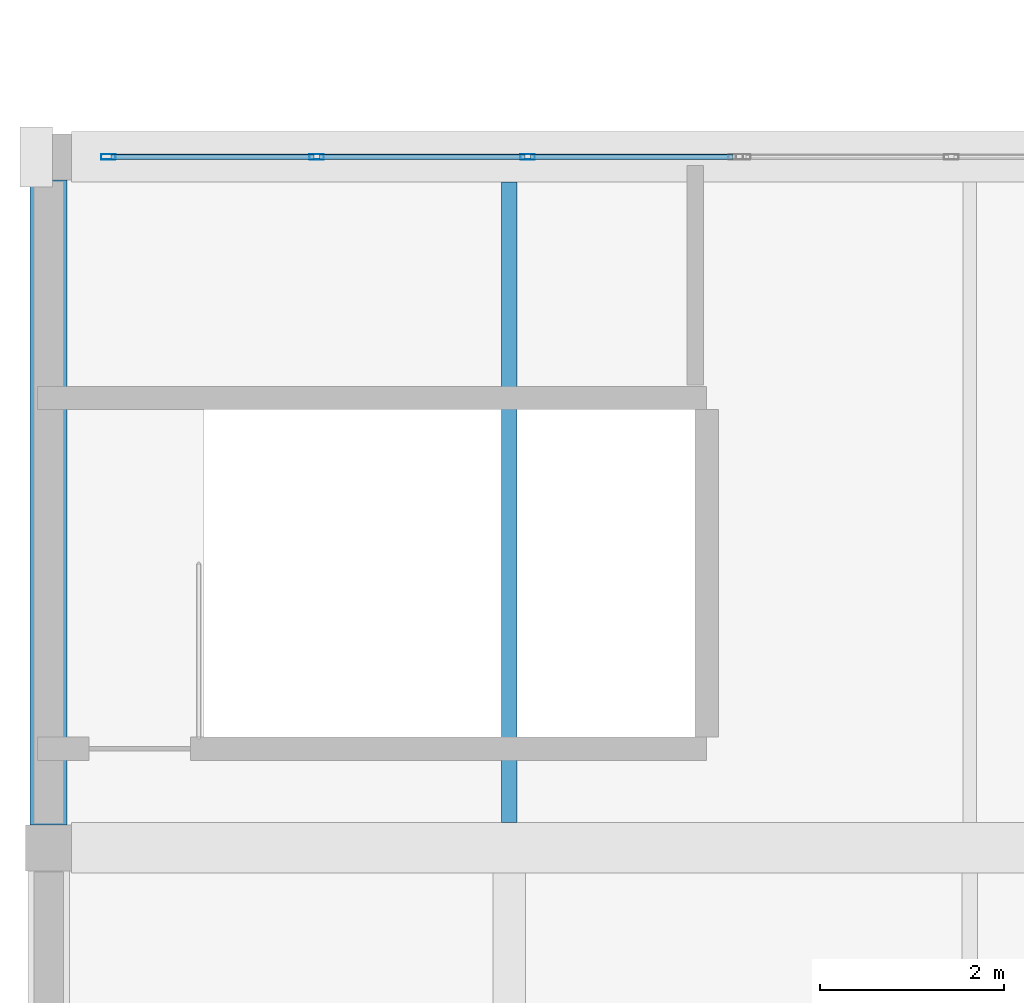
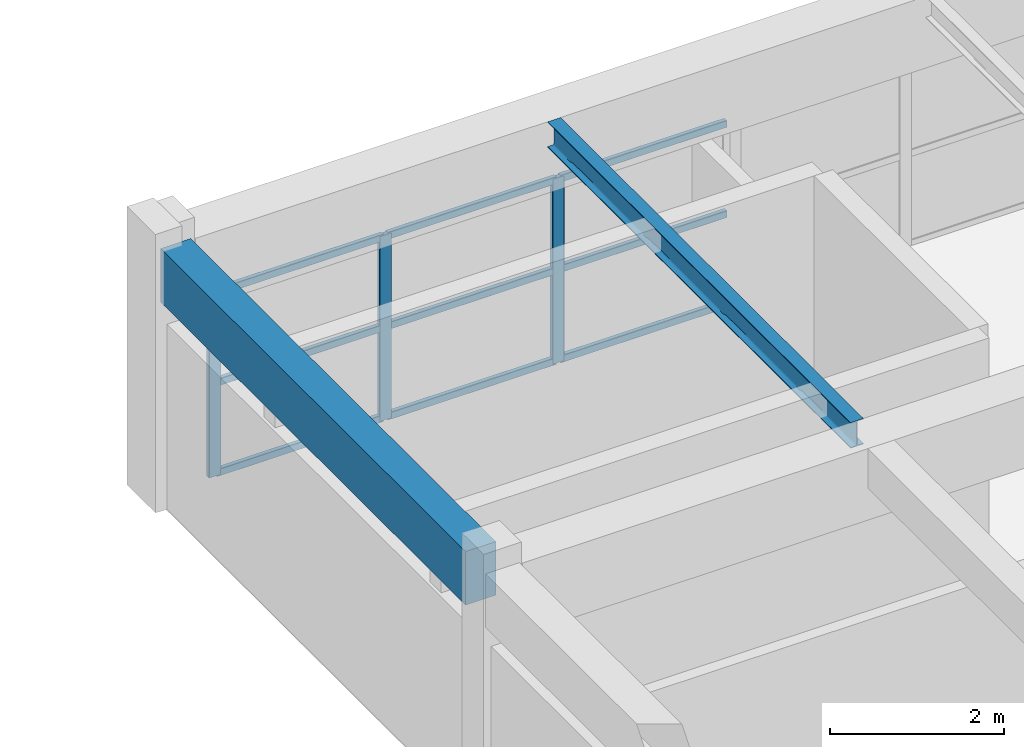
# One storey, part 16 of 82: 12 members, 2 beams, 1 element without a shape of its own.
"""IFC4 building model written with IfcOpenShell, lengths in metres."""

from ifc_helpers import new_model, si_unit, direction, frame, origin, origin_2d, place, context, subcontext, project, spatial, rectangle, hollow_rectangle, i_section, extrude, material, material_profile, profile_set, type_object, element, aggregate, save


model = new_model("IFC4")

# Units and contexts
model_context = context("Model", 3, precision=1e-05, world=origin(), true_north=direction((0.0, 1.0)))
body_context = subcontext(model_context, "Body", "Model", "MODEL_VIEW")
ifc_project = project(units=[si_unit("LENGTHUNIT", "METRE"), si_unit("AREAUNIT", "SQUARE_METRE"), si_unit("VOLUMEUNIT", "CUBIC_METRE"), si_unit("PLANEANGLEUNIT", "RADIAN"), si_unit("MASSUNIT", "GRAM", prefix="KILO")], contexts=[model_context])

# Site, building, storey
site_placement = place(None, origin())
site = spatial("IfcSite", under=ifc_project, at=site_placement, CompositionType="ELEMENT")
building_placement = place(site_placement, origin())
building = spatial("IfcBuilding", under=site, at=building_placement, Name="Qasida Concert Hall", CompositionType="ELEMENT")
storey_placement = place(building_placement, frame((0.0, 0.0, 17.10009765625)))
storey = spatial("IfcBuildingStorey", under=building, at=storey_placement, Name="L04", CompositionType="ELEMENT", Elevation=17.10009765625)

# Beams
ifc_material_1 = material(Name="Steel S355J2", Category="steel")
ifc_material_profile_1 = material_profile(ifc_material_1, i_section(OverallWidth=0.169921875, OverallDepth=0.360107421875, WebThickness=0.008056640625, FlangeThickness=0.0126953125, FilletRadius=0.01806640625, at=origin_2d()), Name="IPE 360")
ifc_profile_set_1 = profile_set([ifc_material_profile_1], Name="Steel S355J2")
beam_type_1 = type_object("IfcBeamType", Name="BM-J2", PredefinedType="JOIST", material=ifc_profile_set_1)
beam_1_placement = place(storey_placement, frame((5.0, 45.27490234375, 3.43994140625), z_axis=(0.0, 1.0, 0.0), x_axis=(-1.0, 0.0, 0.0)))
element("IfcBeam", 1, at=beam_1_placement, inside=storey, type_object=beam_type_1, Name="L04 secondary joist 1921", PredefinedType="JOIST", context=body_context, shape_type="SweptSolid", body=[
    extrude(i_section(OverallWidth=0.169921875, OverallDepth=0.360107421875, WebThickness=0.008056640625, FlangeThickness=0.0126953125, FilletRadius=0.01806640625, at=origin_2d()), origin(), (0.0, 0.0, 1.0), 6.9501953125),
])
ifc_material_2 = material(Name="Concrete C40/50", Category="concrete")
ifc_material_profile_2 = material_profile(ifc_material_2, rectangle(XDim=0.39990234375, YDim=0.75, at=origin_2d()), Name="RC 400x750")
ifc_profile_set_2 = profile_set([ifc_material_profile_2], Name="Concrete C40/50")
beam_type_2 = type_object("IfcBeamType", Name="BM-SP1", PredefinedType="SPANDREL", material=ifc_profile_set_2)
beam_2_placement = place(storey_placement, frame((0.0, 45.25, 3.244873046875), z_axis=(0.0, 1.0, 0.0), x_axis=(-1.0, 0.0, 0.0)))
element("IfcBeam", 2, at=beam_2_placement, inside=storey, type_object=beam_type_2, Name="L04 girder 1906", PredefinedType="SPANDREL", context=body_context, shape_type="SweptSolid", body=[
    extrude(rectangle(XDim=0.39990234375, YDim=0.75, at=origin_2d()), origin(), (0.0, 0.0, 1.0), 7.0),
])

# Curtain wall, members
ifc_material_3 = material(Name="Architectural bronze-anodized aluminium and low-E glass", Category="aluminium")
curtain_wall_type = type_object("IfcCurtainWallType", Name="CW-12", PredefinedType="NOTDEFINED", material=ifc_material_3)
curtain_wall_placement = place(storey_placement, origin())
curtain_wall = element("IfcCurtainWall", 3, at=curtain_wall_placement, inside=storey, type_object=curtain_wall_type, Name="L04 curtain wall CW-12 0131", PredefinedType="NOTDEFINED")
ifc_material_4 = material(Name="Architectural bronze-anodized aluminium EN AW-6063", Category="aluminium")
ifc_material_profile_3 = material_profile(ifc_material_4, hollow_rectangle(XDim=0.06005859375, YDim=0.159912109375, WallThickness=0.00390625, InnerFilletRadius=0.00390625, OuterFilletRadius=0.008056640625, at=origin_2d()), Name="CWM 160x60x4")
ifc_profile_set_3 = profile_set([ifc_material_profile_3], Name="Architectural bronze-anodized aluminium EN AW-6063")
member_type_1 = type_object("IfcMemberType", Name="MB-CWM-3", PredefinedType="MULLION", material=ifc_profile_set_3)
member_1_placement = place(storey_placement, frame((0.64990234375, 52.5, 0.0), z_axis=(0.0, 0.0, 1.0), x_axis=(0.0, 1.0, 0.0)))
member_1 = element("IfcMember", 4, at=member_1_placement, type_object=member_type_1, Name="CW-12 mullion 1", PredefinedType="MULLION", context=body_context, shape_type="SweptSolid", body=[
    extrude(hollow_rectangle(XDim=0.06005859375, YDim=0.159912109375, WallThickness=0.00390625, InnerFilletRadius=0.00390625, OuterFilletRadius=0.008056640625, at=origin_2d()), origin(), (0.0, 0.0, 1.0), 2.58984375),
])
member_2_placement = place(storey_placement, frame((2.909912109375, 52.5, 0.0), z_axis=(0.0, 0.0, 1.0), x_axis=(0.0, 1.0, 0.0)))
member_2 = element("IfcMember", 5, at=member_2_placement, type_object=member_type_1, Name="CW-12 mullion 2", PredefinedType="MULLION", context=body_context, shape_type="SweptSolid", body=[
    extrude(hollow_rectangle(XDim=0.06005859375, YDim=0.159912109375, WallThickness=0.00390625, InnerFilletRadius=0.00390625, OuterFilletRadius=0.008056640625, at=origin_2d()), origin(), (0.0, 0.0, 1.0), 2.58984375),
])
member_3_placement = place(storey_placement, frame((5.199951171875, 52.5, 0.0), z_axis=(0.0, 0.0, 1.0), x_axis=(0.0, 1.0, 0.0)))
member_3 = element("IfcMember", 6, at=member_3_placement, type_object=member_type_1, Name="CW-12 mullion 3", PredefinedType="MULLION", context=body_context, shape_type="SweptSolid", body=[
    extrude(hollow_rectangle(XDim=0.06005859375, YDim=0.159912109375, WallThickness=0.00390625, InnerFilletRadius=0.00390625, OuterFilletRadius=0.008056640625, at=origin_2d()), origin(), (0.0, 0.0, 1.0), 2.58984375),
])
ifc_material_profile_4 = material_profile(ifc_material_4, hollow_rectangle(XDim=0.06005859375, YDim=0.10009765625, WallThickness=0.00341796875, InnerFilletRadius=0.00341796875, OuterFilletRadius=0.007080078125, at=origin_2d()), Name="CWT 100x60x3.5")
ifc_profile_set_4 = profile_set([ifc_material_profile_4], Name="Architectural bronze-anodized aluminium EN AW-6063")
member_type_2 = type_object("IfcMemberType", Name="MB-CWT-3", PredefinedType="USERDEFINED", material=ifc_profile_set_4)
member_4_placement = place(storey_placement, frame((0.679931640625, 52.5, 0.02978515625), z_axis=(1.0, 0.0, 0.0), x_axis=(0.0, 1.0, 0.0)))
member_4 = element("IfcMember", 7, at=member_4_placement, type_object=member_type_2, Name="CW-12 transom 1.1", ObjectType="TRANSOM", PredefinedType="USERDEFINED", context=body_context, shape_type="SweptSolid", body=[
    extrude(hollow_rectangle(XDim=0.06005859375, YDim=0.10009765625, WallThickness=0.00341796875, InnerFilletRadius=0.00341796875, OuterFilletRadius=0.007080078125, at=origin_2d()), origin(), (0.0, 0.0, 1.0), 2.199951171875),
])
member_5_placement = place(storey_placement, frame((0.679931640625, 52.5, 1.294921875), z_axis=(1.0, 0.0, 0.0), x_axis=(0.0, 1.0, 0.0)))
member_5 = element("IfcMember", 8, at=member_5_placement, type_object=member_type_2, Name="CW-12 transom 1.2", ObjectType="TRANSOM", PredefinedType="USERDEFINED", context=body_context, shape_type="SweptSolid", body=[
    extrude(hollow_rectangle(XDim=0.06005859375, YDim=0.10009765625, WallThickness=0.00341796875, InnerFilletRadius=0.00341796875, OuterFilletRadius=0.007080078125, at=origin_2d()), origin(), (0.0, 0.0, 1.0), 2.199951171875),
])
member_6_placement = place(storey_placement, frame((0.679931640625, 52.5, 2.559814453125), z_axis=(1.0, 0.0, 0.0), x_axis=(0.0, 1.0, 0.0)))
member_6 = element("IfcMember", 9, at=member_6_placement, type_object=member_type_2, Name="CW-12 transom 1.3", ObjectType="TRANSOM", PredefinedType="USERDEFINED", context=body_context, shape_type="SweptSolid", body=[
    extrude(hollow_rectangle(XDim=0.06005859375, YDim=0.10009765625, WallThickness=0.00341796875, InnerFilletRadius=0.00341796875, OuterFilletRadius=0.007080078125, at=origin_2d()), origin(), (0.0, 0.0, 1.0), 2.199951171875),
])
member_7_placement = place(storey_placement, frame((2.93994140625, 52.5, 0.02978515625), z_axis=(1.0, 0.0, 0.0), x_axis=(0.0, 1.0, 0.0)))
member_7 = element("IfcMember", 10, at=member_7_placement, type_object=member_type_2, Name="CW-12 transom 2.1", ObjectType="TRANSOM", PredefinedType="USERDEFINED", context=body_context, shape_type="SweptSolid", body=[
    extrude(hollow_rectangle(XDim=0.06005859375, YDim=0.10009765625, WallThickness=0.00341796875, InnerFilletRadius=0.00341796875, OuterFilletRadius=0.007080078125, at=origin_2d()), origin(), (0.0, 0.0, 1.0), 2.22998046875),
])
member_8_placement = place(storey_placement, frame((2.93994140625, 52.5, 1.294921875), z_axis=(1.0, 0.0, 0.0), x_axis=(0.0, 1.0, 0.0)))
member_8 = element("IfcMember", 11, at=member_8_placement, type_object=member_type_2, Name="CW-12 transom 2.2", ObjectType="TRANSOM", PredefinedType="USERDEFINED", context=body_context, shape_type="SweptSolid", body=[
    extrude(hollow_rectangle(XDim=0.06005859375, YDim=0.10009765625, WallThickness=0.00341796875, InnerFilletRadius=0.00341796875, OuterFilletRadius=0.007080078125, at=origin_2d()), origin(), (0.0, 0.0, 1.0), 2.22998046875),
])
member_9_placement = place(storey_placement, frame((2.93994140625, 52.5, 2.559814453125), z_axis=(1.0, 0.0, 0.0), x_axis=(0.0, 1.0, 0.0)))
member_9 = element("IfcMember", 12, at=member_9_placement, type_object=member_type_2, Name="CW-12 transom 2.3", ObjectType="TRANSOM", PredefinedType="USERDEFINED", context=body_context, shape_type="SweptSolid", body=[
    extrude(hollow_rectangle(XDim=0.06005859375, YDim=0.10009765625, WallThickness=0.00341796875, InnerFilletRadius=0.00341796875, OuterFilletRadius=0.007080078125, at=origin_2d()), origin(), (0.0, 0.0, 1.0), 2.22998046875),
])
member_10_placement = place(storey_placement, frame((5.22998046875, 52.5, 0.02978515625), z_axis=(1.0, 0.0, 0.0), x_axis=(0.0, 1.0, 0.0)))
member_10 = element("IfcMember", 13, at=member_10_placement, type_object=member_type_2, Name="CW-12 transom 3.1", ObjectType="TRANSOM", PredefinedType="USERDEFINED", context=body_context, shape_type="SweptSolid", body=[
    extrude(hollow_rectangle(XDim=0.06005859375, YDim=0.10009765625, WallThickness=0.00341796875, InnerFilletRadius=0.00341796875, OuterFilletRadius=0.007080078125, at=origin_2d()), origin(), (0.0, 0.0, 1.0), 2.199951171875),
])
member_11_placement = place(storey_placement, frame((5.22998046875, 52.5, 1.294921875), z_axis=(1.0, 0.0, 0.0), x_axis=(0.0, 1.0, 0.0)))
member_11 = element("IfcMember", 14, at=member_11_placement, type_object=member_type_2, Name="CW-12 transom 3.2", ObjectType="TRANSOM", PredefinedType="USERDEFINED", context=body_context, shape_type="SweptSolid", body=[
    extrude(hollow_rectangle(XDim=0.06005859375, YDim=0.10009765625, WallThickness=0.00341796875, InnerFilletRadius=0.00341796875, OuterFilletRadius=0.007080078125, at=origin_2d()), origin(), (0.0, 0.0, 1.0), 2.199951171875),
])
member_12_placement = place(storey_placement, frame((5.22998046875, 52.5, 2.559814453125), z_axis=(1.0, 0.0, 0.0), x_axis=(0.0, 1.0, 0.0)))
member_12 = element("IfcMember", 15, at=member_12_placement, type_object=member_type_2, Name="CW-12 transom 3.3", ObjectType="TRANSOM", PredefinedType="USERDEFINED", context=body_context, shape_type="SweptSolid", body=[
    extrude(hollow_rectangle(XDim=0.06005859375, YDim=0.10009765625, WallThickness=0.00341796875, InnerFilletRadius=0.00341796875, OuterFilletRadius=0.007080078125, at=origin_2d()), origin(), (0.0, 0.0, 1.0), 2.199951171875),
])
aggregate(curtain_wall, [member_1, member_2, member_3, member_4, member_5, member_6, member_7, member_8, member_9, member_10, member_11, member_12])

save(model, "model.ifc")
